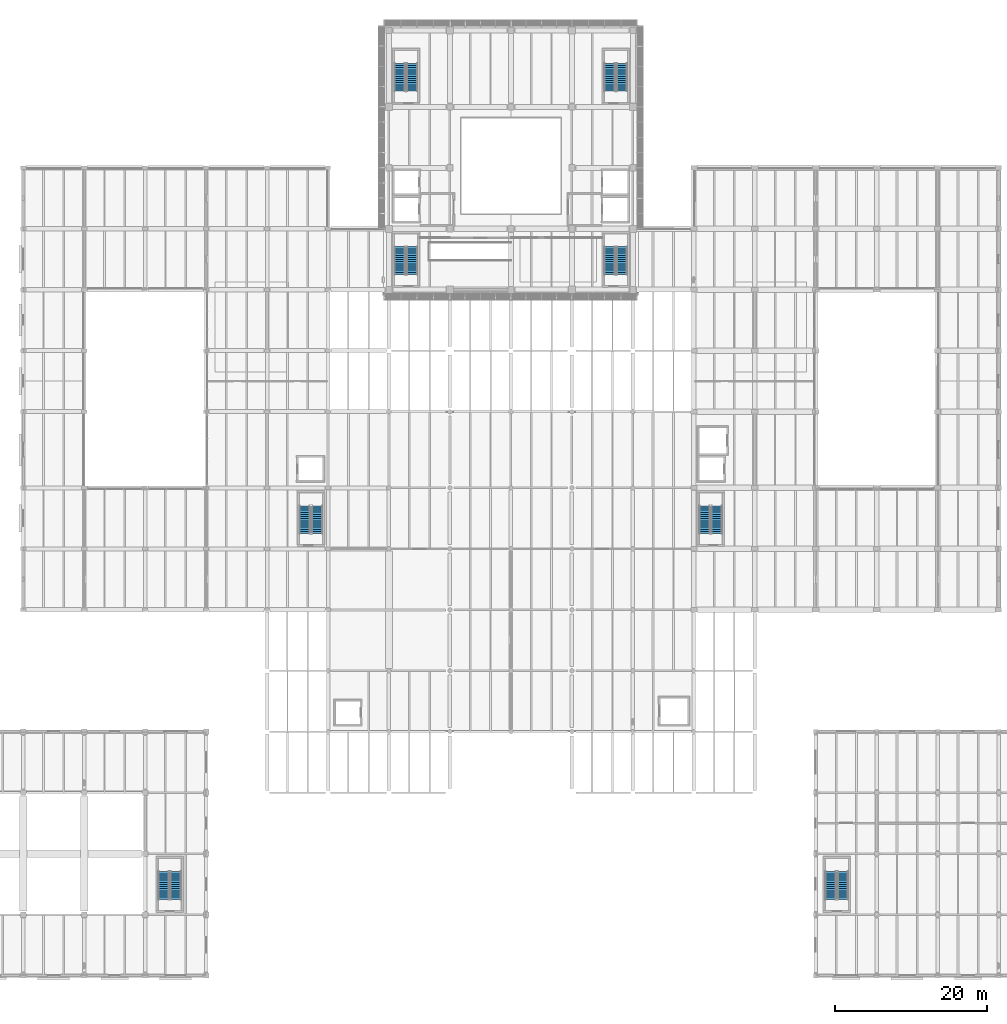
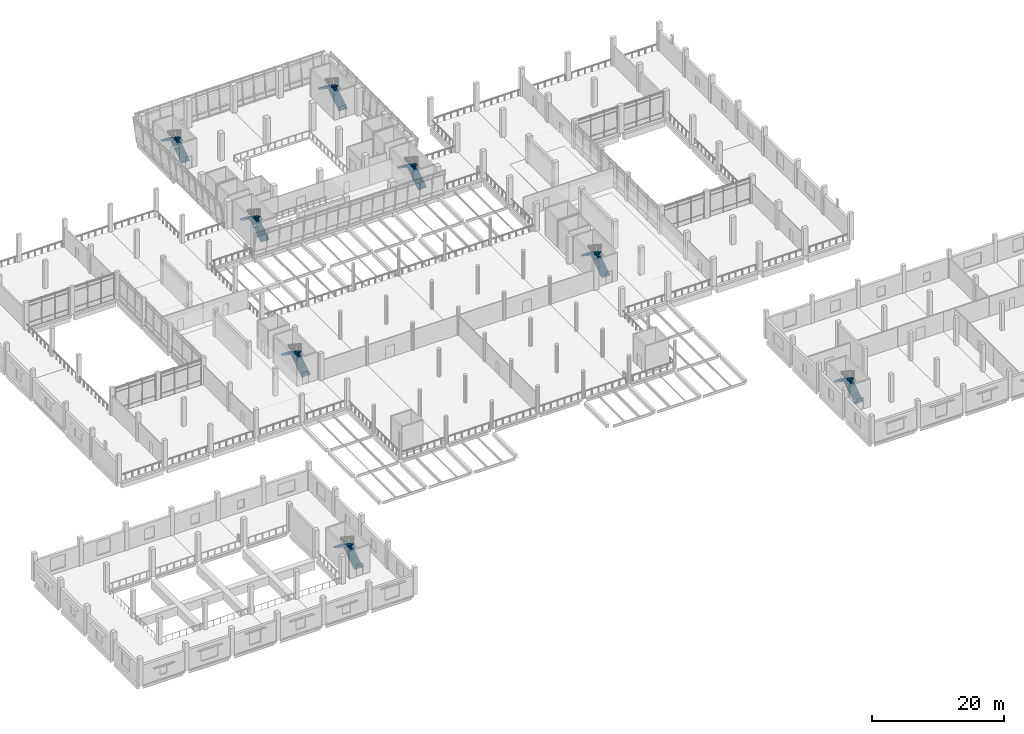
# One storey, part 41 of 61: 16 stair flights, 8 elements without a shape of their own.
"""IFC4 building model written with IfcOpenShell, lengths in metres."""

from ifc_helpers import new_model, si_unit, direction, frame, origin, place, context, subcontext, project, spatial, polyline, outline, extrude, material, type_object, element, aggregate, save


model = new_model("IFC4")

# Units and contexts
model_context = context("Model", 3, precision=1e-05, world=origin(), true_north=direction((0.0, 1.0)))
body_context = subcontext(model_context, "Body", "Model", "MODEL_VIEW")
ifc_project = project(units=[si_unit("LENGTHUNIT", "METRE"), si_unit("AREAUNIT", "SQUARE_METRE"), si_unit("VOLUMEUNIT", "CUBIC_METRE"), si_unit("PLANEANGLEUNIT", "RADIAN"), si_unit("MASSUNIT", "GRAM", prefix="KILO")], contexts=[model_context])

# Site, building, storey
site_placement = place(None, origin())
site = spatial("IfcSite", under=ifc_project, at=site_placement, CompositionType="ELEMENT")
building_placement = place(site_placement, origin())
building = spatial("IfcBuilding", under=site, at=building_placement, Name="Pecanmere Concourse Central Library", CompositionType="ELEMENT")
storey_placement = place(building_placement, frame((0.0, 0.0, 5.39990234375)))
storey = spatial("IfcBuildingStorey", under=building, at=storey_placement, Name="L02", CompositionType="ELEMENT", Elevation=5.39990234375)

# Stair, stair flights
ifc_material_1 = material(Name="Concrete C35/45", Category="concrete")
stair_type_1 = type_object("IfcStairType", Name="STAIR_TYPE_ST-01-1821", PredefinedType="USERDEFINED", material=ifc_material_1)
stair_1_placement = place(storey_placement, origin())
stair_1 = element("IfcStair", 1, at=stair_1_placement, inside=storey, type_object=stair_type_1, Name="L02 Protected Stair ST-01", ObjectType="TWO_RETURN_STAIR", PredefinedType="USERDEFINED")
ifc_material_2 = material(Name="Concrete C35/45", Category="concrete")
stair_flight_type = type_object("IfcStairFlightType", Name="FLIGHT_TYPE_SFL-145-1821", PredefinedType="STRAIGHT", material=ifc_material_2)
stair_flight_1_placement = place(storey_placement, frame((75.034912109375, 92.0, 0.0), z_axis=(0.0, 0.0, 1.0), x_axis=(0.0, 1.0, 0.0)))
stair_flight_1 = element("IfcStairFlight", 2, at=stair_flight_1_placement, type_object=stair_flight_type, Name="ST-01-1821 flight 1", NumberOfRisers=14, NumberOfTreads=13, PredefinedType="STRAIGHT", RiserHeight=0.182142857, TreadLength=0.28, context=body_context, shape_type="SweptSolid", body=[
    extrude(outline(polyline([(0.0, 0.0), (0.0, 0.18212890625), (0.280029296875, 0.18212890625), (0.280029296875, 0.3642578125), (0.56005859375, 0.3642578125), (0.56005859375, 0.54638671875), (0.840087890625, 0.54638671875), (0.840087890625, 0.728515625), (1.1201171875, 0.728515625), (1.1201171875, 0.91064453125), (1.39990234375, 0.91064453125), (1.39990234375, 1.0927734375), (1.679931640625, 1.0927734375), (1.679931640625, 1.27490234375), (1.9599609375, 1.27490234375), (1.9599609375, 1.45703125), (2.239990234375, 1.45703125), (2.239990234375, 1.639404296875), (2.52001953125, 1.639404296875), (2.52001953125, 1.821533203125), (2.800048828125, 1.821533203125), (2.800048828125, 2.003662109375), (3.080078125, 2.003662109375), (3.080078125, 2.185791015625), (3.360107421875, 2.185791015625), (3.360107421875, 2.367919921875), (3.639892578125, 2.367919921875), (3.639892578125, 2.550048828125), (3.639892578125, 2.177001953125), (0.293212890625, 0.0), (0.0, 0.0)])), frame((0.0, 0.72509765625, 0.0), z_axis=(0.0, -1.0, 0.0), x_axis=(1.0, 0.0, 0.0)), (0.0, 0.0, 1.0), 1.449951171875),
])
stair_flight_2_placement = place(storey_placement, frame((73.425048828125, 95.639892578125, 2.550048828125), z_axis=(0.0, 0.0, 1.0), x_axis=(0.0, -1.0, 0.0)))
stair_flight_2 = element("IfcStairFlight", 3, at=stair_flight_2_placement, type_object=stair_flight_type, Name="ST-01-1821 flight 2", NumberOfRisers=14, NumberOfTreads=13, PredefinedType="STRAIGHT", RiserHeight=0.182142857, TreadLength=0.28, context=body_context, shape_type="SweptSolid", body=[
    extrude(outline(polyline([(0.0, 0.0), (0.0, 0.18212890625), (0.280029296875, 0.18212890625), (0.280029296875, 0.3642578125), (0.56005859375, 0.3642578125), (0.56005859375, 0.54638671875), (0.840087890625, 0.54638671875), (0.840087890625, 0.728515625), (1.1201171875, 0.728515625), (1.1201171875, 0.91064453125), (1.39990234375, 0.91064453125), (1.39990234375, 1.0927734375), (1.679931640625, 1.0927734375), (1.679931640625, 1.27490234375), (1.9599609375, 1.27490234375), (1.9599609375, 1.45703125), (2.239990234375, 1.45703125), (2.239990234375, 1.639404296875), (2.52001953125, 1.639404296875), (2.52001953125, 1.821533203125), (2.800048828125, 1.821533203125), (2.800048828125, 2.003662109375), (3.080078125, 2.003662109375), (3.080078125, 2.185791015625), (3.360107421875, 2.185791015625), (3.360107421875, 2.367919921875), (3.639892578125, 2.367919921875), (3.639892578125, 2.550048828125), (3.639892578125, 2.177001953125), (0.293212890625, 0.0), (0.0, 0.0)])), frame((0.0, 0.72509765625, 0.0), z_axis=(0.0, -1.0, 0.0), x_axis=(1.0, 0.0, 0.0)), (0.0, 0.0, 1.0), 1.449951171875),
])
aggregate(stair_1, [stair_flight_1, stair_flight_2])

ifc_material_3 = material(Name="Concrete C35/45", Category="concrete")
stair_type_2 = type_object("IfcStairType", Name="STAIR_TYPE_ST-02-1821", PredefinedType="USERDEFINED", material=ifc_material_3)
stair_2_placement = place(storey_placement, origin())
stair_2 = element("IfcStair", 4, at=stair_2_placement, inside=storey, type_object=stair_type_2, Name="L02 Protected Stair ST-02", ObjectType="TWO_RETURN_STAIR", PredefinedType="USERDEFINED")
stair_flight_3_placement = place(storey_placement, frame((102.574951171875, 92.0, 0.0), z_axis=(0.0, 0.0, 1.0), x_axis=(0.0, 1.0, 0.0)))
stair_flight_3 = element("IfcStairFlight", 5, at=stair_flight_3_placement, type_object=stair_flight_type, Name="ST-02-1821 flight 1", NumberOfRisers=14, NumberOfTreads=13, PredefinedType="STRAIGHT", RiserHeight=0.182142857, TreadLength=0.28, context=body_context, shape_type="SweptSolid", body=[
    extrude(outline(polyline([(0.0, 0.0), (0.0, 0.18212890625), (0.280029296875, 0.18212890625), (0.280029296875, 0.3642578125), (0.56005859375, 0.3642578125), (0.56005859375, 0.54638671875), (0.840087890625, 0.54638671875), (0.840087890625, 0.728515625), (1.1201171875, 0.728515625), (1.1201171875, 0.91064453125), (1.39990234375, 0.91064453125), (1.39990234375, 1.0927734375), (1.679931640625, 1.0927734375), (1.679931640625, 1.27490234375), (1.9599609375, 1.27490234375), (1.9599609375, 1.45703125), (2.239990234375, 1.45703125), (2.239990234375, 1.639404296875), (2.52001953125, 1.639404296875), (2.52001953125, 1.821533203125), (2.800048828125, 1.821533203125), (2.800048828125, 2.003662109375), (3.080078125, 2.003662109375), (3.080078125, 2.185791015625), (3.360107421875, 2.185791015625), (3.360107421875, 2.367919921875), (3.639892578125, 2.367919921875), (3.639892578125, 2.550048828125), (3.639892578125, 2.177001953125), (0.293212890625, 0.0), (0.0, 0.0)])), frame((0.0, 0.72509765625, 0.0), z_axis=(0.0, -1.0, 0.0), x_axis=(1.0, 0.0, 0.0)), (0.0, 0.0, 1.0), 1.449951171875),
])
stair_flight_4_placement = place(storey_placement, frame((100.965087890625, 95.639892578125, 2.550048828125), z_axis=(0.0, 0.0, 1.0), x_axis=(0.0, -1.0, 0.0)))
stair_flight_4 = element("IfcStairFlight", 6, at=stair_flight_4_placement, type_object=stair_flight_type, Name="ST-02-1821 flight 2", NumberOfRisers=14, NumberOfTreads=13, PredefinedType="STRAIGHT", RiserHeight=0.182142857, TreadLength=0.28, context=body_context, shape_type="SweptSolid", body=[
    extrude(outline(polyline([(0.0, 0.0), (0.0, 0.18212890625), (0.280029296875, 0.18212890625), (0.280029296875, 0.3642578125), (0.56005859375, 0.3642578125), (0.56005859375, 0.54638671875), (0.840087890625, 0.54638671875), (0.840087890625, 0.728515625), (1.1201171875, 0.728515625), (1.1201171875, 0.91064453125), (1.39990234375, 0.91064453125), (1.39990234375, 1.0927734375), (1.679931640625, 1.0927734375), (1.679931640625, 1.27490234375), (1.9599609375, 1.27490234375), (1.9599609375, 1.45703125), (2.239990234375, 1.45703125), (2.239990234375, 1.639404296875), (2.52001953125, 1.639404296875), (2.52001953125, 1.821533203125), (2.800048828125, 1.821533203125), (2.800048828125, 2.003662109375), (3.080078125, 2.003662109375), (3.080078125, 2.185791015625), (3.360107421875, 2.185791015625), (3.360107421875, 2.367919921875), (3.639892578125, 2.367919921875), (3.639892578125, 2.550048828125), (3.639892578125, 2.177001953125), (0.293212890625, 0.0), (0.0, 0.0)])), frame((0.0, 0.72509765625, 0.0), z_axis=(0.0, -1.0, 0.0), x_axis=(1.0, 0.0, 0.0)), (0.0, 0.0, 1.0), 1.449951171875),
])
aggregate(stair_2, [stair_flight_3, stair_flight_4])

ifc_material_4 = material(Name="Concrete C35/45", Category="concrete")
stair_type_3 = type_object("IfcStairType", Name="STAIR_TYPE_ST-03-1821", PredefinedType="USERDEFINED", material=ifc_material_4)
stair_3_placement = place(storey_placement, origin())
stair_3 = element("IfcStair", 7, at=stair_3_placement, inside=storey, type_object=stair_type_3, Name="L02 Protected Stair ST-03", ObjectType="TWO_RETURN_STAIR", PredefinedType="USERDEFINED")
stair_flight_5_placement = place(storey_placement, frame((75.034912109375, 116.050048828125, 0.0), z_axis=(0.0, 0.0, 1.0), x_axis=(0.0, 1.0, 0.0)))
stair_flight_5 = element("IfcStairFlight", 8, at=stair_flight_5_placement, type_object=stair_flight_type, Name="ST-03-1821 flight 1", NumberOfRisers=14, NumberOfTreads=13, PredefinedType="STRAIGHT", RiserHeight=0.182142857, TreadLength=0.28, context=body_context, shape_type="SweptSolid", body=[
    extrude(outline(polyline([(0.0, 0.0), (0.0, 0.18212890625), (0.280029296875, 0.18212890625), (0.280029296875, 0.3642578125), (0.56005859375, 0.3642578125), (0.56005859375, 0.54638671875), (0.840087890625, 0.54638671875), (0.840087890625, 0.728515625), (1.1201171875, 0.728515625), (1.1201171875, 0.91064453125), (1.39990234375, 0.91064453125), (1.39990234375, 1.0927734375), (1.679931640625, 1.0927734375), (1.679931640625, 1.27490234375), (1.9599609375, 1.27490234375), (1.9599609375, 1.45703125), (2.239990234375, 1.45703125), (2.239990234375, 1.639404296875), (2.52001953125, 1.639404296875), (2.52001953125, 1.821533203125), (2.800048828125, 1.821533203125), (2.800048828125, 2.003662109375), (3.080078125, 2.003662109375), (3.080078125, 2.185791015625), (3.360107421875, 2.185791015625), (3.360107421875, 2.367919921875), (3.639892578125, 2.367919921875), (3.639892578125, 2.550048828125), (3.639892578125, 2.177001953125), (0.293212890625, 0.0), (0.0, 0.0)])), frame((0.0, 0.72509765625, 0.0), z_axis=(0.0, -1.0, 0.0), x_axis=(1.0, 0.0, 0.0)), (0.0, 0.0, 1.0), 1.449951171875),
])
stair_flight_6_placement = place(storey_placement, frame((73.425048828125, 119.68994140625, 2.550048828125), z_axis=(0.0, 0.0, 1.0), x_axis=(0.0, -1.0, 0.0)))
stair_flight_6 = element("IfcStairFlight", 9, at=stair_flight_6_placement, type_object=stair_flight_type, Name="ST-03-1821 flight 2", NumberOfRisers=14, NumberOfTreads=13, PredefinedType="STRAIGHT", RiserHeight=0.182142857, TreadLength=0.28, context=body_context, shape_type="SweptSolid", body=[
    extrude(outline(polyline([(0.0, 0.0), (0.0, 0.18212890625), (0.280029296875, 0.18212890625), (0.280029296875, 0.3642578125), (0.56005859375, 0.3642578125), (0.56005859375, 0.54638671875), (0.840087890625, 0.54638671875), (0.840087890625, 0.728515625), (1.1201171875, 0.728515625), (1.1201171875, 0.91064453125), (1.39990234375, 0.91064453125), (1.39990234375, 1.0927734375), (1.679931640625, 1.0927734375), (1.679931640625, 1.27490234375), (1.9599609375, 1.27490234375), (1.9599609375, 1.45703125), (2.239990234375, 1.45703125), (2.239990234375, 1.639404296875), (2.52001953125, 1.639404296875), (2.52001953125, 1.821533203125), (2.800048828125, 1.821533203125), (2.800048828125, 2.003662109375), (3.080078125, 2.003662109375), (3.080078125, 2.185791015625), (3.360107421875, 2.185791015625), (3.360107421875, 2.367919921875), (3.639892578125, 2.367919921875), (3.639892578125, 2.550048828125), (3.639892578125, 2.177001953125), (0.293212890625, 0.0), (0.0, 0.0)])), frame((0.0, 0.72509765625, 0.0), z_axis=(0.0, -1.0, 0.0), x_axis=(1.0, 0.0, 0.0)), (0.0, 0.0, 1.0), 1.449951171875),
])
aggregate(stair_3, [stair_flight_5, stair_flight_6])

ifc_material_5 = material(Name="Concrete C35/45", Category="concrete")
stair_type_4 = type_object("IfcStairType", Name="STAIR_TYPE_ST-04-1821", PredefinedType="USERDEFINED", material=ifc_material_5)
stair_4_placement = place(storey_placement, origin())
stair_4 = element("IfcStair", 10, at=stair_4_placement, inside=storey, type_object=stair_type_4, Name="L02 Protected Stair ST-04", ObjectType="TWO_RETURN_STAIR", PredefinedType="USERDEFINED")
stair_flight_7_placement = place(storey_placement, frame((102.574951171875, 116.050048828125, 0.0), z_axis=(0.0, 0.0, 1.0), x_axis=(0.0, 1.0, 0.0)))
stair_flight_7 = element("IfcStairFlight", 11, at=stair_flight_7_placement, type_object=stair_flight_type, Name="ST-04-1821 flight 1", NumberOfRisers=14, NumberOfTreads=13, PredefinedType="STRAIGHT", RiserHeight=0.182142857, TreadLength=0.28, context=body_context, shape_type="SweptSolid", body=[
    extrude(outline(polyline([(0.0, 0.0), (0.0, 0.18212890625), (0.280029296875, 0.18212890625), (0.280029296875, 0.3642578125), (0.56005859375, 0.3642578125), (0.56005859375, 0.54638671875), (0.840087890625, 0.54638671875), (0.840087890625, 0.728515625), (1.1201171875, 0.728515625), (1.1201171875, 0.91064453125), (1.39990234375, 0.91064453125), (1.39990234375, 1.0927734375), (1.679931640625, 1.0927734375), (1.679931640625, 1.27490234375), (1.9599609375, 1.27490234375), (1.9599609375, 1.45703125), (2.239990234375, 1.45703125), (2.239990234375, 1.639404296875), (2.52001953125, 1.639404296875), (2.52001953125, 1.821533203125), (2.800048828125, 1.821533203125), (2.800048828125, 2.003662109375), (3.080078125, 2.003662109375), (3.080078125, 2.185791015625), (3.360107421875, 2.185791015625), (3.360107421875, 2.367919921875), (3.639892578125, 2.367919921875), (3.639892578125, 2.550048828125), (3.639892578125, 2.177001953125), (0.293212890625, 0.0), (0.0, 0.0)])), frame((0.0, 0.72509765625, 0.0), z_axis=(0.0, -1.0, 0.0), x_axis=(1.0, 0.0, 0.0)), (0.0, 0.0, 1.0), 1.449951171875),
])
stair_flight_8_placement = place(storey_placement, frame((100.965087890625, 119.68994140625, 2.550048828125), z_axis=(0.0, 0.0, 1.0), x_axis=(0.0, -1.0, 0.0)))
stair_flight_8 = element("IfcStairFlight", 12, at=stair_flight_8_placement, type_object=stair_flight_type, Name="ST-04-1821 flight 2", NumberOfRisers=14, NumberOfTreads=13, PredefinedType="STRAIGHT", RiserHeight=0.182142857, TreadLength=0.28, context=body_context, shape_type="SweptSolid", body=[
    extrude(outline(polyline([(0.0, 0.0), (0.0, 0.18212890625), (0.280029296875, 0.18212890625), (0.280029296875, 0.3642578125), (0.56005859375, 0.3642578125), (0.56005859375, 0.54638671875), (0.840087890625, 0.54638671875), (0.840087890625, 0.728515625), (1.1201171875, 0.728515625), (1.1201171875, 0.91064453125), (1.39990234375, 0.91064453125), (1.39990234375, 1.0927734375), (1.679931640625, 1.0927734375), (1.679931640625, 1.27490234375), (1.9599609375, 1.27490234375), (1.9599609375, 1.45703125), (2.239990234375, 1.45703125), (2.239990234375, 1.639404296875), (2.52001953125, 1.639404296875), (2.52001953125, 1.821533203125), (2.800048828125, 1.821533203125), (2.800048828125, 2.003662109375), (3.080078125, 2.003662109375), (3.080078125, 2.185791015625), (3.360107421875, 2.185791015625), (3.360107421875, 2.367919921875), (3.639892578125, 2.367919921875), (3.639892578125, 2.550048828125), (3.639892578125, 2.177001953125), (0.293212890625, 0.0), (0.0, 0.0)])), frame((0.0, 0.72509765625, 0.0), z_axis=(0.0, -1.0, 0.0), x_axis=(1.0, 0.0, 0.0)), (0.0, 0.0, 1.0), 1.449951171875),
])
aggregate(stair_4, [stair_flight_7, stair_flight_8])

ifc_material_6 = material(Name="Concrete C35/45", Category="concrete")
stair_type_5 = type_object("IfcStairType", Name="STAIR_TYPE_ST-05-1821", PredefinedType="USERDEFINED", material=ifc_material_6)
stair_5_placement = place(storey_placement, origin())
stair_5 = element("IfcStair", 13, at=stair_5_placement, inside=storey, type_object=stair_type_5, Name="L02 Protected Stair ST-05", ObjectType="TWO_RETURN_STAIR", PredefinedType="USERDEFINED")
stair_flight_9_placement = place(storey_placement, frame((115.034912109375, 58.0, 0.0), z_axis=(0.0, 0.0, 1.0), x_axis=(0.0, 1.0, 0.0)))
stair_flight_9 = element("IfcStairFlight", 14, at=stair_flight_9_placement, type_object=stair_flight_type, Name="ST-05-1821 flight 1", NumberOfRisers=14, NumberOfTreads=13, PredefinedType="STRAIGHT", RiserHeight=0.182142857, TreadLength=0.28, context=body_context, shape_type="SweptSolid", body=[
    extrude(outline(polyline([(0.0, 0.0), (0.0, 0.18212890625), (0.280029296875, 0.18212890625), (0.280029296875, 0.3642578125), (0.56005859375, 0.3642578125), (0.56005859375, 0.54638671875), (0.840087890625, 0.54638671875), (0.840087890625, 0.728515625), (1.1201171875, 0.728515625), (1.1201171875, 0.91064453125), (1.39990234375, 0.91064453125), (1.39990234375, 1.0927734375), (1.679931640625, 1.0927734375), (1.679931640625, 1.27490234375), (1.9599609375, 1.27490234375), (1.9599609375, 1.45703125), (2.239990234375, 1.45703125), (2.239990234375, 1.639404296875), (2.52001953125, 1.639404296875), (2.52001953125, 1.821533203125), (2.800048828125, 1.821533203125), (2.800048828125, 2.003662109375), (3.080078125, 2.003662109375), (3.080078125, 2.185791015625), (3.360107421875, 2.185791015625), (3.360107421875, 2.367919921875), (3.639892578125, 2.367919921875), (3.639892578125, 2.550048828125), (3.639892578125, 2.177001953125), (0.293212890625, 0.0), (0.0, 0.0)])), frame((0.0, 0.72509765625, 0.0), z_axis=(0.0, -1.0, 0.0), x_axis=(1.0, 0.0, 0.0)), (0.0, 0.0, 1.0), 1.449951171875),
])
stair_flight_10_placement = place(storey_placement, frame((113.425048828125, 61.639892578125, 2.550048828125), z_axis=(0.0, 0.0, 1.0), x_axis=(0.0, -1.0, 0.0)))
stair_flight_10 = element("IfcStairFlight", 15, at=stair_flight_10_placement, type_object=stair_flight_type, Name="ST-05-1821 flight 2", NumberOfRisers=14, NumberOfTreads=13, PredefinedType="STRAIGHT", RiserHeight=0.182142857, TreadLength=0.28, context=body_context, shape_type="SweptSolid", body=[
    extrude(outline(polyline([(0.0, 0.0), (0.0, 0.18212890625), (0.280029296875, 0.18212890625), (0.280029296875, 0.3642578125), (0.56005859375, 0.3642578125), (0.56005859375, 0.54638671875), (0.840087890625, 0.54638671875), (0.840087890625, 0.728515625), (1.1201171875, 0.728515625), (1.1201171875, 0.91064453125), (1.39990234375, 0.91064453125), (1.39990234375, 1.0927734375), (1.679931640625, 1.0927734375), (1.679931640625, 1.27490234375), (1.9599609375, 1.27490234375), (1.9599609375, 1.45703125), (2.239990234375, 1.45703125), (2.239990234375, 1.639404296875), (2.52001953125, 1.639404296875), (2.52001953125, 1.821533203125), (2.800048828125, 1.821533203125), (2.800048828125, 2.003662109375), (3.080078125, 2.003662109375), (3.080078125, 2.185791015625), (3.360107421875, 2.185791015625), (3.360107421875, 2.367919921875), (3.639892578125, 2.367919921875), (3.639892578125, 2.550048828125), (3.639892578125, 2.177001953125), (0.293212890625, 0.0), (0.0, 0.0)])), frame((0.0, 0.72509765625, 0.0), z_axis=(0.0, -1.0, 0.0), x_axis=(1.0, 0.0, 0.0)), (0.0, 0.0, 1.0), 1.449951171875),
])
aggregate(stair_5, [stair_flight_9, stair_flight_10])

ifc_material_7 = material(Name="Concrete C35/45", Category="concrete")
stair_type_6 = type_object("IfcStairType", Name="STAIR_TYPE_ST-06-1821", PredefinedType="USERDEFINED", material=ifc_material_7)
stair_6_placement = place(storey_placement, origin())
stair_6 = element("IfcStair", 16, at=stair_6_placement, inside=storey, type_object=stair_type_6, Name="L02 Protected Stair ST-06", ObjectType="TWO_RETURN_STAIR", PredefinedType="USERDEFINED")
stair_flight_11_placement = place(storey_placement, frame((62.574951171875, 58.0, 0.0), z_axis=(0.0, 0.0, 1.0), x_axis=(0.0, 1.0, 0.0)))
stair_flight_11 = element("IfcStairFlight", 17, at=stair_flight_11_placement, type_object=stair_flight_type, Name="ST-06-1821 flight 1", NumberOfRisers=14, NumberOfTreads=13, PredefinedType="STRAIGHT", RiserHeight=0.182142857, TreadLength=0.28, context=body_context, shape_type="SweptSolid", body=[
    extrude(outline(polyline([(0.0, 0.0), (0.0, 0.18212890625), (0.280029296875, 0.18212890625), (0.280029296875, 0.3642578125), (0.56005859375, 0.3642578125), (0.56005859375, 0.54638671875), (0.840087890625, 0.54638671875), (0.840087890625, 0.728515625), (1.1201171875, 0.728515625), (1.1201171875, 0.91064453125), (1.39990234375, 0.91064453125), (1.39990234375, 1.0927734375), (1.679931640625, 1.0927734375), (1.679931640625, 1.27490234375), (1.9599609375, 1.27490234375), (1.9599609375, 1.45703125), (2.239990234375, 1.45703125), (2.239990234375, 1.639404296875), (2.52001953125, 1.639404296875), (2.52001953125, 1.821533203125), (2.800048828125, 1.821533203125), (2.800048828125, 2.003662109375), (3.080078125, 2.003662109375), (3.080078125, 2.185791015625), (3.360107421875, 2.185791015625), (3.360107421875, 2.367919921875), (3.639892578125, 2.367919921875), (3.639892578125, 2.550048828125), (3.639892578125, 2.177001953125), (0.293212890625, 0.0), (0.0, 0.0)])), frame((0.0, 0.72509765625, 0.0), z_axis=(0.0, -1.0, 0.0), x_axis=(1.0, 0.0, 0.0)), (0.0, 0.0, 1.0), 1.449951171875),
])
stair_flight_12_placement = place(storey_placement, frame((60.965087890625, 61.639892578125, 2.550048828125), z_axis=(0.0, 0.0, 1.0), x_axis=(0.0, -1.0, 0.0)))
stair_flight_12 = element("IfcStairFlight", 18, at=stair_flight_12_placement, type_object=stair_flight_type, Name="ST-06-1821 flight 2", NumberOfRisers=14, NumberOfTreads=13, PredefinedType="STRAIGHT", RiserHeight=0.182142857, TreadLength=0.28, context=body_context, shape_type="SweptSolid", body=[
    extrude(outline(polyline([(0.0, 0.0), (0.0, 0.18212890625), (0.280029296875, 0.18212890625), (0.280029296875, 0.3642578125), (0.56005859375, 0.3642578125), (0.56005859375, 0.54638671875), (0.840087890625, 0.54638671875), (0.840087890625, 0.728515625), (1.1201171875, 0.728515625), (1.1201171875, 0.91064453125), (1.39990234375, 0.91064453125), (1.39990234375, 1.0927734375), (1.679931640625, 1.0927734375), (1.679931640625, 1.27490234375), (1.9599609375, 1.27490234375), (1.9599609375, 1.45703125), (2.239990234375, 1.45703125), (2.239990234375, 1.639404296875), (2.52001953125, 1.639404296875), (2.52001953125, 1.821533203125), (2.800048828125, 1.821533203125), (2.800048828125, 2.003662109375), (3.080078125, 2.003662109375), (3.080078125, 2.185791015625), (3.360107421875, 2.185791015625), (3.360107421875, 2.367919921875), (3.639892578125, 2.367919921875), (3.639892578125, 2.550048828125), (3.639892578125, 2.177001953125), (0.293212890625, 0.0), (0.0, 0.0)])), frame((0.0, 0.72509765625, 0.0), z_axis=(0.0, -1.0, 0.0), x_axis=(1.0, 0.0, 0.0)), (0.0, 0.0, 1.0), 1.449951171875),
])
aggregate(stair_6, [stair_flight_11, stair_flight_12])

ifc_material_8 = material(Name="Concrete C35/45", Category="concrete")
stair_type_7 = type_object("IfcStairType", Name="STAIR_TYPE_ST-07-1821", PredefinedType="USERDEFINED", material=ifc_material_8)
stair_7_placement = place(storey_placement, origin())
stair_7 = element("IfcStair", 19, at=stair_7_placement, inside=storey, type_object=stair_type_7, Name="L02 Protected Stair ST-07", ObjectType="TWO_RETURN_STAIR", PredefinedType="USERDEFINED")
stair_flight_13_placement = place(storey_placement, frame((44.034912109375, 10.0, 0.0), z_axis=(0.0, 0.0, 1.0), x_axis=(0.0, 1.0, 0.0)))
stair_flight_13 = element("IfcStairFlight", 20, at=stair_flight_13_placement, type_object=stair_flight_type, Name="ST-07-1821 flight 1", NumberOfRisers=14, NumberOfTreads=13, PredefinedType="STRAIGHT", RiserHeight=0.182142857, TreadLength=0.28, context=body_context, shape_type="SweptSolid", body=[
    extrude(outline(polyline([(0.0, 0.0), (0.0, 0.18212890625), (0.280029296875, 0.18212890625), (0.280029296875, 0.3642578125), (0.56005859375, 0.3642578125), (0.56005859375, 0.54638671875), (0.840087890625, 0.54638671875), (0.840087890625, 0.728515625), (1.1201171875, 0.728515625), (1.1201171875, 0.91064453125), (1.39990234375, 0.91064453125), (1.39990234375, 1.0927734375), (1.679931640625, 1.0927734375), (1.679931640625, 1.27490234375), (1.9599609375, 1.27490234375), (1.9599609375, 1.45703125), (2.239990234375, 1.45703125), (2.239990234375, 1.639404296875), (2.52001953125, 1.639404296875), (2.52001953125, 1.821533203125), (2.800048828125, 1.821533203125), (2.800048828125, 2.003662109375), (3.080078125, 2.003662109375), (3.080078125, 2.185791015625), (3.360107421875, 2.185791015625), (3.360107421875, 2.367919921875), (3.639892578125, 2.367919921875), (3.639892578125, 2.550048828125), (3.639892578125, 2.177001953125), (0.293212890625, 0.0), (0.0, 0.0)])), frame((0.0, 0.72509765625, 0.0), z_axis=(0.0, -1.0, 0.0), x_axis=(1.0, 0.0, 0.0)), (0.0, 0.0, 1.0), 1.449951171875),
])
stair_flight_14_placement = place(storey_placement, frame((42.425048828125, 13.639892578125, 2.550048828125), z_axis=(0.0, 0.0, 1.0), x_axis=(0.0, -1.0, 0.0)))
stair_flight_14 = element("IfcStairFlight", 21, at=stair_flight_14_placement, type_object=stair_flight_type, Name="ST-07-1821 flight 2", NumberOfRisers=14, NumberOfTreads=13, PredefinedType="STRAIGHT", RiserHeight=0.182142857, TreadLength=0.28, context=body_context, shape_type="SweptSolid", body=[
    extrude(outline(polyline([(0.0, 0.0), (0.0, 0.18212890625), (0.280029296875, 0.18212890625), (0.280029296875, 0.3642578125), (0.56005859375, 0.3642578125), (0.56005859375, 0.54638671875), (0.840087890625, 0.54638671875), (0.840087890625, 0.728515625), (1.1201171875, 0.728515625), (1.1201171875, 0.91064453125), (1.39990234375, 0.91064453125), (1.39990234375, 1.0927734375), (1.679931640625, 1.0927734375), (1.679931640625, 1.27490234375), (1.9599609375, 1.27490234375), (1.9599609375, 1.45703125), (2.239990234375, 1.45703125), (2.239990234375, 1.639404296875), (2.52001953125, 1.639404296875), (2.52001953125, 1.821533203125), (2.800048828125, 1.821533203125), (2.800048828125, 2.003662109375), (3.080078125, 2.003662109375), (3.080078125, 2.185791015625), (3.360107421875, 2.185791015625), (3.360107421875, 2.367919921875), (3.639892578125, 2.367919921875), (3.639892578125, 2.550048828125), (3.639892578125, 2.177001953125), (0.293212890625, 0.0), (0.0, 0.0)])), frame((0.0, 0.72509765625, 0.0), z_axis=(0.0, -1.0, 0.0), x_axis=(1.0, 0.0, 0.0)), (0.0, 0.0, 1.0), 1.449951171875),
])
aggregate(stair_7, [stair_flight_13, stair_flight_14])

ifc_material_9 = material(Name="Concrete C35/45", Category="concrete")
stair_type_8 = type_object("IfcStairType", Name="STAIR_TYPE_ST-08-1821", PredefinedType="USERDEFINED", material=ifc_material_9)
stair_8_placement = place(storey_placement, origin())
stair_8 = element("IfcStair", 22, at=stair_8_placement, inside=storey, type_object=stair_type_8, Name="L02 Protected Stair ST-08", ObjectType="TWO_RETURN_STAIR", PredefinedType="USERDEFINED")
stair_flight_15_placement = place(storey_placement, frame((131.574951171875, 10.0, 0.0), z_axis=(0.0, 0.0, 1.0), x_axis=(0.0, 1.0, 0.0)))
stair_flight_15 = element("IfcStairFlight", 23, at=stair_flight_15_placement, type_object=stair_flight_type, Name="ST-08-1821 flight 1", NumberOfRisers=14, NumberOfTreads=13, PredefinedType="STRAIGHT", RiserHeight=0.182142857, TreadLength=0.28, context=body_context, shape_type="SweptSolid", body=[
    extrude(outline(polyline([(0.0, 0.0), (0.0, 0.18212890625), (0.280029296875, 0.18212890625), (0.280029296875, 0.3642578125), (0.56005859375, 0.3642578125), (0.56005859375, 0.54638671875), (0.840087890625, 0.54638671875), (0.840087890625, 0.728515625), (1.1201171875, 0.728515625), (1.1201171875, 0.91064453125), (1.39990234375, 0.91064453125), (1.39990234375, 1.0927734375), (1.679931640625, 1.0927734375), (1.679931640625, 1.27490234375), (1.9599609375, 1.27490234375), (1.9599609375, 1.45703125), (2.239990234375, 1.45703125), (2.239990234375, 1.639404296875), (2.52001953125, 1.639404296875), (2.52001953125, 1.821533203125), (2.800048828125, 1.821533203125), (2.800048828125, 2.003662109375), (3.080078125, 2.003662109375), (3.080078125, 2.185791015625), (3.360107421875, 2.185791015625), (3.360107421875, 2.367919921875), (3.639892578125, 2.367919921875), (3.639892578125, 2.550048828125), (3.639892578125, 2.177001953125), (0.293212890625, 0.0), (0.0, 0.0)])), frame((0.0, 0.72509765625, 0.0), z_axis=(0.0, -1.0, 0.0), x_axis=(1.0, 0.0, 0.0)), (0.0, 0.0, 1.0), 1.449951171875),
])
stair_flight_16_placement = place(storey_placement, frame((129.965087890625, 13.639892578125, 2.550048828125), z_axis=(0.0, 0.0, 1.0), x_axis=(0.0, -1.0, 0.0)))
stair_flight_16 = element("IfcStairFlight", 24, at=stair_flight_16_placement, type_object=stair_flight_type, Name="ST-08-1821 flight 2", NumberOfRisers=14, NumberOfTreads=13, PredefinedType="STRAIGHT", RiserHeight=0.182142857, TreadLength=0.28, context=body_context, shape_type="SweptSolid", body=[
    extrude(outline(polyline([(0.0, 0.0), (0.0, 0.18212890625), (0.280029296875, 0.18212890625), (0.280029296875, 0.3642578125), (0.56005859375, 0.3642578125), (0.56005859375, 0.54638671875), (0.840087890625, 0.54638671875), (0.840087890625, 0.728515625), (1.1201171875, 0.728515625), (1.1201171875, 0.91064453125), (1.39990234375, 0.91064453125), (1.39990234375, 1.0927734375), (1.679931640625, 1.0927734375), (1.679931640625, 1.27490234375), (1.9599609375, 1.27490234375), (1.9599609375, 1.45703125), (2.239990234375, 1.45703125), (2.239990234375, 1.639404296875), (2.52001953125, 1.639404296875), (2.52001953125, 1.821533203125), (2.800048828125, 1.821533203125), (2.800048828125, 2.003662109375), (3.080078125, 2.003662109375), (3.080078125, 2.185791015625), (3.360107421875, 2.185791015625), (3.360107421875, 2.367919921875), (3.639892578125, 2.367919921875), (3.639892578125, 2.550048828125), (3.639892578125, 2.177001953125), (0.293212890625, 0.0), (0.0, 0.0)])), frame((0.0, 0.72509765625, 0.0), z_axis=(0.0, -1.0, 0.0), x_axis=(1.0, 0.0, 0.0)), (0.0, 0.0, 1.0), 1.449951171875),
])
aggregate(stair_8, [stair_flight_15, stair_flight_16])

save(model, "model.ifc")
